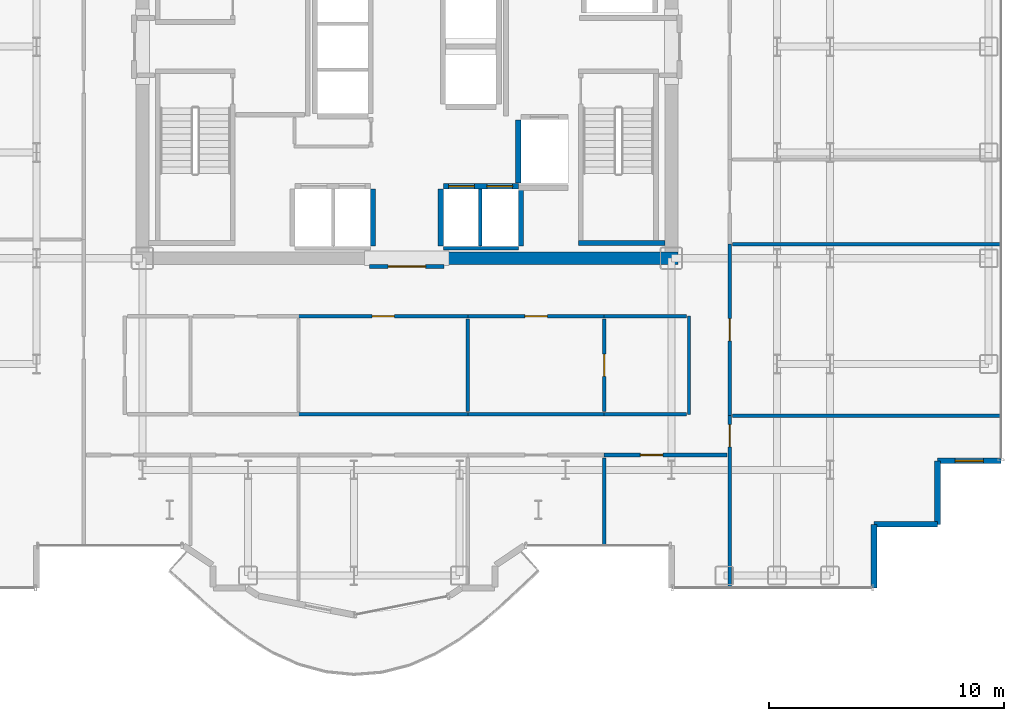
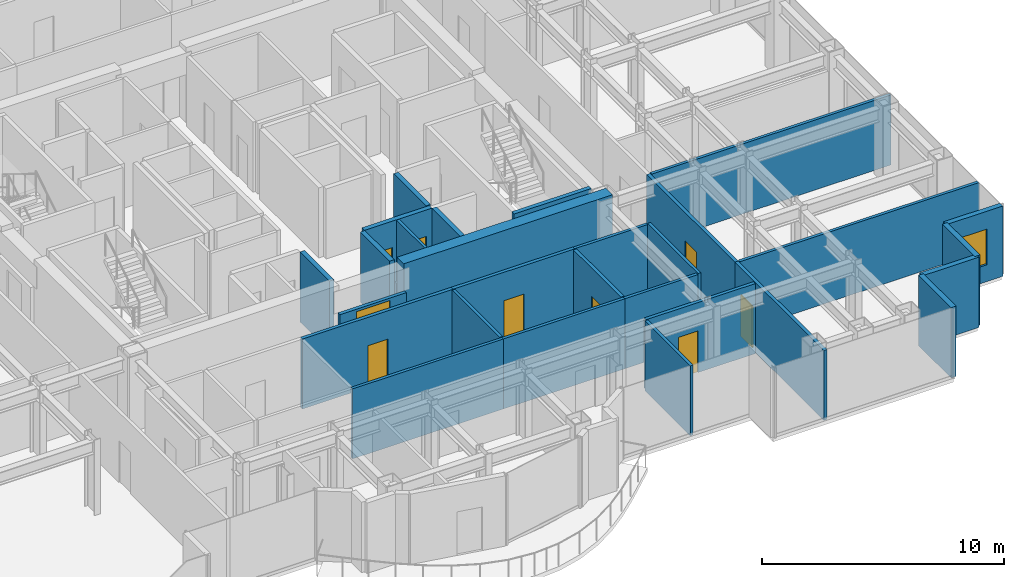
# One storey, part 17 of 23: 29 walls, 9 doors, 1 window, 10 openings.
"""IFC4 building model written with IfcOpenShell, lengths in metres."""

from ifc_helpers import new_model, si_unit, direction, frame, frame_2d, origin, place, context, subcontext, project, spatial, rectangle, extrude, source, transform, mapped, material, layer, layer_set, type_object, element, fill, save


model = new_model("IFC4")

# Units and contexts
model_context = context("Model", 3, precision=1e-05, world=origin(), true_north=direction((0.0, 1.0)))
body_context = subcontext(model_context, "Body", "Model", "MODEL_VIEW")
ifc_project = project(units=[si_unit("LENGTHUNIT", "METRE"), si_unit("AREAUNIT", "SQUARE_METRE"), si_unit("VOLUMEUNIT", "CUBIC_METRE"), si_unit("PLANEANGLEUNIT", "RADIAN"), si_unit("MASSUNIT", "GRAM", prefix="KILO")], contexts=[model_context])

# Site, building, storey
site_placement = place(None, origin())
site = spatial("IfcSite", under=ifc_project, at=site_placement, CompositionType="ELEMENT")
building_placement = place(site_placement, origin())
building = spatial("IfcBuilding", under=site, at=building_placement, Name="Nefas-Gora Pilgrimage Tower", CompositionType="ELEMENT")
storey_placement = place(building_placement, frame((0.0, 0.0, 156.39990234375)))
storey = spatial("IfcBuildingStorey", under=building, at=storey_placement, Name="L38", CompositionType="ELEMENT", Elevation=156.39990234375)

# Walls
ifc_material_1 = material(Name="Concrete C60/75", Category="concrete")
ifc_layer_1 = layer(ifc_material_1, 0.550048828125)
ifc_layer_set_1 = layer_set([ifc_layer_1], Name="Concrete C60/75")
wall_type_1 = type_object("IfcWallType", Name="SW-CORE-550", PredefinedType="SHEAR", material=ifc_layer_set_1)
shared_shape_1 = source(origin(), body_context, "Body", "SweptSolid", [
    extrude(rectangle(XDim=9.974853515625, YDim=0.550048828125, at=frame_2d((4.9873046875, 0.0))), origin(), (0.0, 0.0, 1.0), 3.800048828125),
])
wall_1_placement = place(storey_placement, frame((1.550048828125, -9.0, 0.0), z_axis=(0.0, 0.0, 1.0), x_axis=(1.0, 0.0, 0.0)))
element("IfcWall", 1, at=wall_1_placement, inside=storey, type_object=wall_type_1, Name="L38 Core Shear Wall S-East", PredefinedType="SHEAR", context=body_context, shape_type="MappedRepresentation", body=[
    mapped(shared_shape_1, transform((0.0, 0.0, 0.0), x_axis=(1.0, 0.0, 0.0), y_axis=(0.0, 1.0, 0.0), z_axis=(0.0, 0.0, 1.0), scale=1.0)),
])
ifc_material_2 = material(Name="Precast concrete C45/55", Category="concrete")
ifc_layer_2 = layer(ifc_material_2, 0.239990234375)
ifc_layer_set_2 = layer_set([ifc_layer_2], Name="Precast concrete C45/55")
wall_type_2 = type_object("IfcWallType", Name="EW-SERR-240", PredefinedType="SHEAR", material=ifc_layer_set_2)
shared_shape_2 = source(origin(), body_context, "Body", "SweptSolid", [
    extrude(rectangle(XDim=2.699951171875, YDim=0.239990234375, at=frame_2d((1.35009765625, 0.0))), origin(), (0.0, 0.0, 1.0), 3.550048828125),
])
for number, where, z_axis, x_axis, name in (
    (2, (19.8701171875, -23.02001953125, 0.0), (0.0, 0.0, 1.0), (0.0, 1.0, 0.0), "L38 Serrated Corner Shear Pier Wall 2"),
    (3, (19.8701171875, -20.320068359375, 0.0), (0.0, 0.0, 1.0), (1.0, 0.0, 0.0), "L38 Serrated Corner Shear Pier Wall 3"),
    (4, (22.570068359375, -20.320068359375, 0.0), (0.0, 0.0, 1.0), (0.0, 1.0, 0.0), "L38 Serrated Corner Shear Pier Wall 4"),
):
    element("IfcWall", number, at=place(storey_placement, frame(where, z_axis=z_axis, x_axis=x_axis)), inside=storey, type_object=wall_type_2, Name=name, PredefinedType="SHEAR", context=body_context, shape_type="MappedRepresentation", body=[
        mapped(shared_shape_2, transform((0.0, 0.0, 0.0), x_axis=(1.0, 0.0, 0.0), y_axis=(0.0, 1.0, 0.0), z_axis=(0.0, 0.0, 1.0), scale=1.0)),
    ])

# Wall, opening, window
wall_2_placement = place(storey_placement, frame((22.570068359375, -17.6201171875, 0.0), z_axis=(0.0, 0.0, 1.0), x_axis=(1.0, 0.0, 0.0)))
wall_2 = element("IfcWall", 5, at=wall_2_placement, inside=storey, type_object=wall_type_2, Name="L38 Serrated Corner Shear Pier Wall 5", PredefinedType="SHEAR", context=body_context, shape_type="MappedRepresentation", body=[
    mapped(shared_shape_2, transform((0.0, 0.0, 0.0), x_axis=(1.0, 0.0, 0.0), y_axis=(0.0, 1.0, 0.0), z_axis=(0.0, 0.0, 1.0), scale=1.0)),
])
opening_1_placement = place(wall_2_placement, frame((0.75, 0.0, 0.85009765625)))
opening_1 = element("IfcOpeningElement", 6, at=opening_1_placement, cuts=wall_2, Name="Opening W-V1", PredefinedType="OPENING", context=body_context, shape_type="SweptSolid", body=[
    extrude(rectangle(XDim=1.199951171875, YDim=1.800048828125, at=frame_2d((0.60009765625, 0.89990234375))), frame((0.0, 0.1298828125, 0.0), z_axis=(0.0, -1.0, 0.0), x_axis=(1.0, 0.0, 0.0)), (0.0, 0.0, 1.0), 0.260009765625),
])
ifc_material_3 = material(Name="Dark ceramic-fritted operable aluminium-glass window", Category="aluminium")
window_type = type_object("IfcWindowType", Name="WIN-VENT-1200x1800", PartitioningType="SINGLE_PANEL", PredefinedType="WINDOW", material=ifc_material_3)
shared_shape_3 = source(origin(), body_context, "Body", "SweptSolid", [
    extrude(rectangle(XDim=1.199951171875, YDim=1.800048828125, at=frame_2d((0.60009765625, 0.89990234375))), frame((0.0, 0.030029296875, 0.0), z_axis=(0.0, -1.0, 0.0), x_axis=(1.0, 0.0, 0.0)), (0.0, 0.0, 1.0), 0.06005859375),
])
window_placement = place(opening_1_placement, origin())
window = element("IfcWindow", 7, at=window_placement, inside=storey, type_object=window_type, Name="L38 Operable Parallel-Outswing Window 5", OverallHeight=1.800048828125, OverallWidth=1.199951171875, PartitioningType="SINGLE_PANEL", PredefinedType="WINDOW", context=body_context, shape_type="MappedRepresentation", body=[
    mapped(shared_shape_3, transform((0.0, 0.0, 0.0), x_axis=(1.0, 0.0, 0.0), y_axis=(0.0, 1.0, 0.0), z_axis=(0.0, 0.0, 1.0), scale=1.0)),
])
fill(opening_1, window)

# Walls
ifc_material_4 = material(Name="Concrete C45/55", Category="concrete")
ifc_layer_3 = layer(ifc_material_4, 0.199951171875)
ifc_layer_set_3 = layer_set([ifc_layer_3], Name="Concrete C45/55")
wall_type_3 = type_object("IfcWallType", Name="IW-STAIR-200", PredefinedType="SOLIDWALL", material=ifc_layer_set_3)
shared_shape_4 = source(origin(), body_context, "Body", "SweptSolid", [
    extrude(rectangle(XDim=3.679931640625, YDim=0.199951171875, at=frame_2d((1.83984375, 0.0))), origin(), (0.0, 0.0, 1.0), 3.800048828125),
])
wall_3_placement = place(storey_placement, frame((7.300048828125, -8.35009765625, 0.0), z_axis=(0.0, 0.0, 1.0), x_axis=(1.0, 0.0, 0.0)))
element("IfcWall", 8, at=wall_3_placement, inside=storey, type_object=wall_type_3, Name="L38 Stairwell Shear Wall ST-02-far", PredefinedType="SOLIDWALL", context=body_context, shape_type="MappedRepresentation", body=[
    mapped(shared_shape_4, transform((0.0, 0.0, 0.0), x_axis=(1.0, 0.0, 0.0), y_axis=(0.0, 1.0, 0.0), z_axis=(0.0, 0.0, 1.0), scale=1.0)),
])
ifc_material_5 = material(Name="Gypsum acoustic stud partition")
ifc_layer_4 = layer(ifc_material_5, 0.159912109375)
ifc_layer_set_4 = layer_set([ifc_layer_4], Name="Gypsum acoustic stud partition")
wall_type_4 = type_object("IfcWallType", Name="IW-CORR-160", PredefinedType="PARTITIONING", material=ifc_layer_set_4)
shared_shape_5 = source(origin(), body_context, "Body", "SweptSolid", [
    extrude(rectangle(XDim=3.199951171875, YDim=0.159912109375, at=frame_2d((1.60009765625, 0.0))), origin(), (0.0, 0.0, 1.0), 2.425048828125),
])
wall_4_placement = place(storey_placement, frame((1.550048828125, -8.580078125, 0.0), z_axis=(0.0, 0.0, 1.0), x_axis=(1.0, 0.0, 0.0)))
element("IfcWall", 9, at=wall_4_placement, inside=storey, type_object=wall_type_4, Name="L38 Hoistway Wall PL2-E-S", PredefinedType="PARTITIONING", context=body_context, shape_type="MappedRepresentation", body=[
    mapped(shared_shape_5, transform((0.0, 0.0, 0.0), x_axis=(1.0, 0.0, 0.0), y_axis=(0.0, 1.0, 0.0), z_axis=(0.0, 0.0, 1.0), scale=1.0)),
])
ifc_material_6 = material(Name="Concrete C40/50", Category="concrete")
ifc_layer_5 = layer(ifc_material_6, 0.219970703125)
ifc_layer_set_5 = layer_set([ifc_layer_5], Name="Concrete C40/50")
wall_type_5 = type_object("IfcWallType", Name="IW-SHAFT-220", PredefinedType="SOLIDWALL", material=ifc_layer_set_5)
shared_shape_6 = source(origin(), body_context, "Body", "SweptSolid", [
    extrude(rectangle(XDim=2.679931640625, YDim=0.219970703125, at=frame_2d((1.33984375, 0.0))), origin(), (0.0, 0.0, 1.0), 3.53515625),
])
wall_5_placement = place(storey_placement, frame((4.739990234375, -3.110107421875, 0.0), z_axis=(0.0, 0.0, 1.0), x_axis=(0.0, -1.0, 0.0)))
element("IfcWall", 10, at=wall_5_placement, inside=storey, type_object=wall_type_5, Name="L38 Hoistway Wall FFL-02-W", PredefinedType="SOLIDWALL", context=body_context, shape_type="MappedRepresentation", body=[
    mapped(shared_shape_6, transform((0.0, 0.0, 0.0), x_axis=(1.0, 0.0, 0.0), y_axis=(0.0, 1.0, 0.0), z_axis=(0.0, 0.0, 1.0), scale=1.0)),
])

# Wall, openings, doors
shared_shape_7 = source(origin(), body_context, "Body", "SweptSolid", [
    extrude(rectangle(XDim=3.199951171875, YDim=0.219970703125, at=frame_2d((1.60009765625, 0.0))), origin(), (0.0, 0.0, 1.0), 3.53515625),
])
wall_6_placement = place(storey_placement, frame((4.75, -5.93994140625, 0.0), z_axis=(0.0, 0.0, 1.0), x_axis=(-1.0, 0.0, 0.0)))
wall_6 = element("IfcWall", 11, at=wall_6_placement, inside=storey, type_object=wall_type_5, Name="L38 Hoistway Wall PL2-E-N", PredefinedType="SOLIDWALL", context=body_context, shape_type="MappedRepresentation", body=[
    mapped(shared_shape_7, transform((0.0, 0.0, 0.0), x_axis=(1.0, 0.0, 0.0), y_axis=(0.0, 1.0, 0.0), z_axis=(0.0, 0.0, 1.0), scale=1.0)),
])
opening_2_placement = place(wall_6_placement, frame((1.875, 0.0, 0.0)))
opening_2 = element("IfcOpeningElement", 12, at=opening_2_placement, cuts=wall_6, Name="Opening LD-01", PredefinedType="OPENING", context=body_context, shape_type="SweptSolid", body=[
    extrude(rectangle(XDim=1.10009765625, YDim=2.199951171875, at=frame_2d((0.550048828125, 1.10009765625))), frame((0.0, 0.119873046875, 0.0), z_axis=(0.0, -1.0, 0.0), x_axis=(1.0, 0.0, 0.0)), (0.0, 0.0, 1.0), 0.239990234375),
])
opening_3_placement = place(wall_6_placement, frame((0.25, 0.0, 0.0)))
opening_3 = element("IfcOpeningElement", 13, at=opening_3_placement, cuts=wall_6, Name="Opening LD-01", PredefinedType="OPENING", context=body_context, shape_type="SweptSolid", body=[
    extrude(rectangle(XDim=1.10009765625, YDim=2.199951171875, at=frame_2d((0.550048828125, 1.10009765625))), frame((0.0, 0.119873046875, 0.0), z_axis=(0.0, -1.0, 0.0), x_axis=(1.0, 0.0, 0.0)), (0.0, 0.0, 1.0), 0.239990234375),
])
ifc_material_7 = material(Name="Brushed stainless sliding lift landing door")
door_type_1 = type_object("IfcDoorType", Name="DR-LIFT-PASS-1100", OperationType="DOUBLE_DOOR_SLIDING", PredefinedType="DOOR", material=ifc_material_7)
shared_shape_8 = source(origin(), body_context, "Body", "SweptSolid", [
    extrude(rectangle(XDim=1.10009765625, YDim=2.199951171875, at=frame_2d((0.550048828125, 1.10009765625))), frame((0.0, 0.02490234375, 0.0), z_axis=(0.0, -1.0, 0.0), x_axis=(1.0, 0.0, 0.0)), (0.0, 0.0, 1.0), 0.050048828125),
])
door_1_placement = place(opening_2_placement, origin())
door_1 = element("IfcDoor", 14, at=door_1_placement, inside=storey, type_object=door_type_1, Name="L38 Sliding Lift Landing Door PL2-03", OperationType="DOUBLE_DOOR_SLIDING", OverallHeight=2.199951171875, OverallWidth=1.10009765625, PredefinedType="DOOR", context=body_context, shape_type="MappedRepresentation", body=[
    mapped(shared_shape_8, transform((0.0, 0.0, 0.0), x_axis=(1.0, 0.0, 0.0), y_axis=(0.0, 1.0, 0.0), z_axis=(0.0, 0.0, 1.0), scale=1.0)),
])
fill(opening_2, door_1)
door_2_placement = place(opening_3_placement, origin())
door_2 = element("IfcDoor", 15, at=door_2_placement, inside=storey, type_object=door_type_1, Name="L38 Sliding Lift Landing Door PL2-04", OperationType="DOUBLE_DOOR_SLIDING", OverallHeight=2.199951171875, OverallWidth=1.10009765625, PredefinedType="DOOR", context=body_context, shape_type="MappedRepresentation", body=[
    mapped(shared_shape_8, transform((0.0, 0.0, 0.0), x_axis=(1.0, 0.0, 0.0), y_axis=(0.0, 1.0, 0.0), z_axis=(0.0, 0.0, 1.0), scale=1.0)),
])
fill(opening_3, door_2)

# Walls
shared_shape_9 = source(origin(), body_context, "Body", "SweptSolid", [
    extrude(rectangle(XDim=2.429931640625, YDim=0.219970703125, at=frame_2d((1.21484375, 0.0))), origin(), (0.0, 0.0, 1.0), 3.53515625),
])
for number, where, z_axis, x_axis, name in (
    (16, (-1.43994140625, -8.489990234375, 0.0), (0.0, 0.0, 1.0), (0.0, 1.0, 0.0), "L38 Hoistway Wall PL2-W-E"),
    (17, (1.43994140625, -6.06005859375, 0.0), (0.0, 0.0, 1.0), (0.0, -1.0, 0.0), "L38 Hoistway Wall PL2-E-W"),
    (18, (4.860107421875, -8.489990234375, 0.0), (0.0, 0.0, 1.0), (0.0, 1.0, 0.0), "L38 Hoistway Wall PL2-E-E"),
):
    element("IfcWall", number, at=place(storey_placement, frame(where, z_axis=z_axis, x_axis=x_axis)), inside=storey, type_object=wall_type_5, Name=name, PredefinedType="SOLIDWALL", context=body_context, shape_type="MappedRepresentation", body=[
        mapped(shared_shape_9, transform((0.0, 0.0, 0.0), x_axis=(1.0, 0.0, 0.0), y_axis=(0.0, 1.0, 0.0), z_axis=(0.0, 0.0, 1.0), scale=1.0)),
    ])
ifc_material_8 = material(Name="Gypsum twin-stud partition")
ifc_layer_6 = layer(ifc_material_8, 0.139892578125)
ifc_layer_set_6 = layer_set([ifc_layer_6], Name="Gypsum twin-stud partition")
wall_type_6 = type_object("IfcWallType", Name="IW-UNIT-140", PredefinedType="PARTITIONING", material=ifc_layer_set_6)
shared_shape_10 = source(origin(), body_context, "Body", "SweptSolid", [
    extrude(rectangle(XDim=2.429931640625, YDim=0.139892578125, at=frame_2d((1.21484375, 0.0))), origin(), (0.0, 0.0, 1.0), 3.53515625),
])
wall_7_placement = place(storey_placement, frame((3.125, -8.489990234375, 0.0), z_axis=(0.0, 0.0, 1.0), x_axis=(0.0, 1.0, 0.0)))
element("IfcWall", 19, at=wall_7_placement, inside=storey, type_object=wall_type_6, Name="L38 Hoistway Wall PL2-E-DIV", PredefinedType="PARTITIONING", context=body_context, shape_type="MappedRepresentation", body=[
    mapped(shared_shape_10, transform((0.0, 0.0, 0.0), x_axis=(1.0, 0.0, 0.0), y_axis=(0.0, 1.0, 0.0), z_axis=(0.0, 0.0, 1.0), scale=1.0)),
])

# Wall, opening, door
shared_shape_11 = source(origin(), body_context, "Body", "SweptSolid", [
    extrude(rectangle(XDim=5.22509765625, YDim=0.159912109375, at=frame_2d((2.612548828125, 0.0))), origin(), (0.0, 0.0, 1.0), 3.53515625),
])
wall_8_placement = place(storey_placement, frame((8.39501953125, -17.3701171875, 0.0), z_axis=(0.0, 0.0, 1.0), x_axis=(1.0, 0.0, 0.0)))
wall_8 = element("IfcWall", 20, at=wall_8_placement, inside=storey, type_object=wall_type_4, Name="L38 Pilgrim Contemplative Lounge Partition Wall 92", PredefinedType="PARTITIONING", context=body_context, shape_type="MappedRepresentation", body=[
    mapped(shared_shape_11, transform((0.0, 0.0, 0.0), x_axis=(1.0, 0.0, 0.0), y_axis=(0.0, 1.0, 0.0), z_axis=(0.0, 0.0, 1.0), scale=1.0)),
])
opening_4_placement = place(wall_8_placement, frame((1.543212890625, 0.0, 0.0)))
opening_4 = element("IfcOpeningElement", 21, at=opening_4_placement, cuts=wall_8, Name="Opening ID-GR1", PredefinedType="OPENING", context=body_context, shape_type="SweptSolid", body=[
    extrude(rectangle(XDim=0.949951171875, YDim=2.10009765625, at=frame_2d((0.47509765625, 1.050048828125))), frame((0.0, 0.08984375, 0.0), z_axis=(0.0, -1.0, 0.0), x_axis=(1.0, 0.0, 0.0)), (0.0, 0.0, 1.0), 0.179931640625),
])
ifc_material_9 = material(Name="Solid core oak fire-rated guest entrance door")
door_type_2 = type_object("IfcDoorType", Name="DR-INT-GUEST-950", OperationType="NOTDEFINED", PredefinedType="DOOR", material=ifc_material_9)
shared_shape_12 = source(origin(), body_context, "Body", "SweptSolid", [
    extrude(rectangle(XDim=0.949951171875, YDim=2.10009765625, at=frame_2d((0.47509765625, 1.050048828125))), frame((0.0, 0.02490234375, 0.0), z_axis=(0.0, -1.0, 0.0), x_axis=(1.0, 0.0, 0.0)), (0.0, 0.0, 1.0), 0.050048828125),
])
door_3_placement = place(opening_4_placement, origin())
door_3 = element("IfcDoor", 22, at=door_3_placement, inside=storey, type_object=door_type_2, Name="L38 Pilgrim Contemplative Lounge Door 41", OperationType="SINGLE_SWING_LEFT", OverallHeight=2.10009765625, OverallWidth=0.949951171875, PredefinedType="DOOR", context=body_context, shape_type="MappedRepresentation", body=[
    mapped(shared_shape_12, transform((0.0, 0.0, 0.0), x_axis=(1.0, 0.0, 0.0), y_axis=(0.0, 1.0, 0.0), z_axis=(0.0, 0.0, 1.0), scale=1.0)),
])
fill(opening_4, door_3)

shared_shape_13 = source(origin(), body_context, "Body", "SweptSolid", [
    extrude(rectangle(XDim=3.16015625, YDim=0.159912109375, at=frame_2d((1.580078125, 0.0))), origin(), (0.0, 0.0, 1.0), 2.425048828125),
])
wall_9_placement = place(storey_placement, frame((-1.580078125, -9.35009765625, 0.0), z_axis=(0.0, 0.0, 1.0), x_axis=(1.0, 0.0, 0.0)))
wall_9 = element("IfcWall", 23, at=wall_9_placement, inside=storey, type_object=wall_type_4, Name="L38 Central Lift Lobby South Portal Wall 16", PredefinedType="PARTITIONING", context=body_context, shape_type="MappedRepresentation", body=[
    mapped(shared_shape_13, transform((0.0, 0.0, 0.0), x_axis=(1.0, 0.0, 0.0), y_axis=(0.0, 1.0, 0.0), z_axis=(0.0, 0.0, 1.0), scale=1.0)),
])
opening_5_placement = place(wall_9_placement, frame((0.780029296875, 0.0, 0.0)))
opening_5 = element("IfcOpeningElement", 24, at=opening_5_placement, cuts=wall_9, Name="Opening ID-HL1", PredefinedType="OPENING", context=body_context, shape_type="SweptSolid", body=[
    extrude(rectangle(XDim=1.60009765625, YDim=2.300048828125, at=frame_2d((0.800048828125, 1.14990234375))), frame((0.0, 0.08984375, 0.0), z_axis=(0.0, -1.0, 0.0), x_axis=(1.0, 0.0, 0.0)), (0.0, 0.0, 1.0), 0.179931640625),
])
ifc_material_10 = material(Name="Double acoustic timber assembly hall door", Category="wood")
door_type_3 = type_object("IfcDoorType", Name="DR-INT-HALL-1600", OperationType="DOUBLE_DOOR_SINGLE_SWING", PredefinedType="DOOR", material=ifc_material_10)
shared_shape_14 = source(origin(), body_context, "Body", "SweptSolid", [
    extrude(rectangle(XDim=1.60009765625, YDim=2.300048828125, at=frame_2d((0.800048828125, 1.14990234375))), frame((0.0, 0.02490234375, 0.0), z_axis=(0.0, -1.0, 0.0), x_axis=(1.0, 0.0, 0.0)), (0.0, 0.0, 1.0), 0.050048828125),
])
door_4_placement = place(opening_5_placement, origin())
door_4 = element("IfcDoor", 25, at=door_4_placement, inside=storey, type_object=door_type_3, Name="L38 Central Lift Lobby South Portal Door 6", OperationType="DOUBLE_DOOR_SINGLE_SWING", OverallHeight=2.300048828125, OverallWidth=1.60009765625, PredefinedType="DOOR", context=body_context, shape_type="MappedRepresentation", body=[
    mapped(shared_shape_14, transform((0.0, 0.0, 0.0), x_axis=(1.0, 0.0, 0.0), y_axis=(0.0, 1.0, 0.0), z_axis=(0.0, 0.0, 1.0), scale=1.0)),
])
fill(opening_5, door_4)

shared_shape_15 = source(origin(), body_context, "Body", "SweptSolid", [
    extrude(rectangle(XDim=7.3525390625, YDim=0.159912109375, at=frame_2d((3.67626953125, 0.0))), origin(), (0.0, 0.0, 1.0), 3.53515625),
])
wall_10_placement = place(storey_placement, frame((13.739990234375, -23.0400390625, 0.0), z_axis=(0.0, 0.0, 1.0), x_axis=(0.0, 1.0, 0.0)))
wall_10 = element("IfcWall", 26, at=wall_10_placement, inside=storey, type_object=wall_type_4, Name="L38 Pilgrim Contemplative Lounge Partition Wall 37", PredefinedType="PARTITIONING", context=body_context, shape_type="MappedRepresentation", body=[
    mapped(shared_shape_15, transform((0.0, 0.0, 0.0), x_axis=(1.0, 0.0, 0.0), y_axis=(0.0, 1.0, 0.0), z_axis=(0.0, 0.0, 1.0), scale=1.0)),
])
opening_6_placement = place(wall_10_placement, frame((6.01611328125, 0.0, 0.0)))
opening_6 = element("IfcOpeningElement", 27, at=opening_6_placement, cuts=wall_10, Name="Opening ID-GR1", PredefinedType="OPENING", context=body_context, shape_type="SweptSolid", body=[
    extrude(rectangle(XDim=0.949951171875, YDim=2.10009765625, at=frame_2d((0.47509765625, 1.050048828125))), frame((0.0, 0.08984375, 0.0), z_axis=(0.0, -1.0, 0.0), x_axis=(1.0, 0.0, 0.0)), (0.0, 0.0, 1.0), 0.179931640625),
])
door_5_placement = place(opening_6_placement, origin())
door_5 = element("IfcDoor", 28, at=door_5_placement, inside=storey, type_object=door_type_2, Name="L38 Pilgrim Contemplative Lounge Door 16", OperationType="SINGLE_SWING_RIGHT", OverallHeight=2.10009765625, OverallWidth=0.949951171875, PredefinedType="DOOR", context=body_context, shape_type="MappedRepresentation", body=[
    mapped(shared_shape_12, transform((0.0, 0.0, 0.0), x_axis=(1.0, 0.0, 0.0), y_axis=(0.0, 1.0, 0.0), z_axis=(0.0, 0.0, 1.0), scale=1.0)),
])
fill(opening_6, door_5)

# Walls
shared_shape_16 = source(origin(), body_context, "Body", "SweptSolid", [
    extrude(rectangle(XDim=11.429931640625, YDim=0.139892578125, at=frame_2d((5.71484375, 0.0))), origin(), (0.0, 0.0, 1.0), 3.53515625),
])
for number, where, z_axis, x_axis, name in (
    (29, (13.860107421875, -15.697509765625, 0.0), (0.0, 0.0, 1.0), (1.0, 0.0, 0.0), "L38 Pilgrim Contemplative Lounge Partition Wall 38"),
    (30, (13.860107421875, -8.405029296875, 0.0), (0.0, 0.0, 1.0), (1.0, 0.0, 0.0), "L38 Pilgrim Contemplative Lounge Partition Wall 40"),
):
    element("IfcWall", number, at=place(storey_placement, frame(where, z_axis=z_axis, x_axis=x_axis)), inside=storey, type_object=wall_type_6, Name=name, PredefinedType="PARTITIONING", context=body_context, shape_type="MappedRepresentation", body=[
        mapped(shared_shape_16, transform((0.0, 0.0, 0.0), x_axis=(1.0, 0.0, 0.0), y_axis=(0.0, 1.0, 0.0), z_axis=(0.0, 0.0, 1.0), scale=1.0)),
    ])

# Wall, opening, door
shared_shape_17 = source(origin(), body_context, "Body", "SweptSolid", [
    extrude(rectangle(XDim=7.29248046875, YDim=0.159912109375, at=frame_2d((3.646240234375, 0.0))), origin(), (0.0, 0.0, 1.0), 3.53515625),
])
wall_11_placement = place(storey_placement, frame((13.739990234375, -15.6875, 0.0), z_axis=(0.0, 0.0, 1.0), x_axis=(0.0, 1.0, 0.0)))
wall_11 = element("IfcWall", 31, at=wall_11_placement, inside=storey, type_object=wall_type_4, Name="L38 Pilgrim Contemplative Lounge Partition Wall 39", PredefinedType="PARTITIONING", context=body_context, shape_type="MappedRepresentation", body=[
    mapped(shared_shape_17, transform((0.0, 0.0, 0.0), x_axis=(1.0, 0.0, 0.0), y_axis=(0.0, 1.0, 0.0), z_axis=(0.0, 0.0, 1.0), scale=1.0)),
])
opening_7_placement = place(wall_11_placement, frame((3.17138671875, 0.0, 0.0)))
opening_7 = element("IfcOpeningElement", 32, at=opening_7_placement, cuts=wall_11, Name="Opening ID-GR1", PredefinedType="OPENING", context=body_context, shape_type="SweptSolid", body=[
    extrude(rectangle(XDim=0.949951171875, YDim=2.10009765625, at=frame_2d((0.47509765625, 1.050048828125))), frame((0.0, 0.08984375, 0.0), z_axis=(0.0, -1.0, 0.0), x_axis=(1.0, 0.0, 0.0)), (0.0, 0.0, 1.0), 0.179931640625),
])
door_6_placement = place(opening_7_placement, origin())
door_6 = element("IfcDoor", 33, at=door_6_placement, inside=storey, type_object=door_type_2, Name="L38 Pilgrim Contemplative Lounge Door 17", OperationType="SINGLE_SWING_LEFT", OverallHeight=2.10009765625, OverallWidth=0.949951171875, PredefinedType="DOOR", context=body_context, shape_type="MappedRepresentation", body=[
    mapped(shared_shape_12, transform((0.0, 0.0, 0.0), x_axis=(1.0, 0.0, 0.0), y_axis=(0.0, 1.0, 0.0), z_axis=(0.0, 0.0, 1.0), scale=1.0)),
])
fill(opening_7, door_6)

# Wall
shared_shape_18 = source(origin(), body_context, "Body", "SweptSolid", [
    extrude(rectangle(XDim=3.929931640625, YDim=0.139892578125, at=frame_2d((1.96484375, 0.0))), origin(), (0.0, 0.0, 1.0), 3.53515625),
])
wall_12_placement = place(storey_placement, frame((2.594970703125, -15.52001953125, 0.0), z_axis=(0.0, 0.0, 1.0), x_axis=(0.0, 1.0, 0.0)))
element("IfcWall", 34, at=wall_12_placement, inside=storey, type_object=wall_type_6, Name="L38 Pilgrim Contemplative Lounge Partition Wall 86", PredefinedType="PARTITIONING", context=body_context, shape_type="MappedRepresentation", body=[
    mapped(shared_shape_18, transform((0.0, 0.0, 0.0), x_axis=(1.0, 0.0, 0.0), y_axis=(0.0, 1.0, 0.0), z_axis=(0.0, 0.0, 1.0), scale=1.0)),
])

# Wall, opening, door
shared_shape_19 = source(origin(), body_context, "Body", "SweptSolid", [
    extrude(rectangle(XDim=5.81005859375, YDim=0.159912109375, at=frame_2d((2.905029296875, 0.0))), origin(), (0.0, 0.0, 1.0), 3.53515625),
])
wall_13_placement = place(storey_placement, frame((2.594970703125, -11.469970703125, 0.0), z_axis=(0.0, 0.0, 1.0), x_axis=(1.0, 0.0, 0.0)))
wall_13 = element("IfcWall", 35, at=wall_13_placement, inside=storey, type_object=wall_type_4, Name="L38 Pilgrim Contemplative Lounge Partition Wall 89", PredefinedType="PARTITIONING", context=body_context, shape_type="MappedRepresentation", body=[
    mapped(shared_shape_19, transform((0.0, 0.0, 0.0), x_axis=(1.0, 0.0, 0.0), y_axis=(0.0, 1.0, 0.0), z_axis=(0.0, 0.0, 1.0), scale=1.0)),
])
opening_8_placement = place(wall_13_placement, frame((2.429931640625, 0.0, 0.0)))
opening_8 = element("IfcOpeningElement", 36, at=opening_8_placement, cuts=wall_13, Name="Opening ID-GR1", PredefinedType="OPENING", context=body_context, shape_type="SweptSolid", body=[
    extrude(rectangle(XDim=0.949951171875, YDim=2.10009765625, at=frame_2d((0.47509765625, 1.050048828125))), frame((0.0, 0.08984375, 0.0), z_axis=(0.0, -1.0, 0.0), x_axis=(1.0, 0.0, 0.0)), (0.0, 0.0, 1.0), 0.179931640625),
])
door_7_placement = place(opening_8_placement, origin())
door_7 = element("IfcDoor", 37, at=door_7_placement, inside=storey, type_object=door_type_2, Name="L38 Pilgrim Contemplative Lounge Door 39", OperationType="SINGLE_SWING_LEFT", OverallHeight=2.10009765625, OverallWidth=0.949951171875, PredefinedType="DOOR", context=body_context, shape_type="MappedRepresentation", body=[
    mapped(shared_shape_12, transform((0.0, 0.0, 0.0), x_axis=(1.0, 0.0, 0.0), y_axis=(0.0, 1.0, 0.0), z_axis=(0.0, 0.0, 1.0), scale=1.0)),
])
fill(opening_8, door_7)

# Walls
shared_shape_20 = source(origin(), body_context, "Body", "SweptSolid", [
    extrude(rectangle(XDim=3.75, YDim=0.139892578125, at=frame_2d((1.875, 0.0))), origin(), (0.0, 0.0, 1.0), 3.53515625),
])
wall_14_placement = place(storey_placement, frame((8.39501953125, -21.239990234375, 0.0), z_axis=(0.0, 0.0, 1.0), x_axis=(0.0, 1.0, 0.0)))
element("IfcWall", 38, at=wall_14_placement, inside=storey, type_object=wall_type_6, Name="L38 Pilgrim Contemplative Lounge Partition Wall 88", PredefinedType="PARTITIONING", context=body_context, shape_type="MappedRepresentation", body=[
    mapped(shared_shape_20, transform((0.0, 0.0, 0.0), x_axis=(1.0, 0.0, 0.0), y_axis=(0.0, 1.0, 0.0), z_axis=(0.0, 0.0, 1.0), scale=1.0)),
])
shared_shape_21 = source(origin(), body_context, "Body", "SweptSolid", [
    extrude(rectangle(XDim=5.81005859375, YDim=0.139892578125, at=frame_2d((2.905029296875, 0.0))), origin(), (0.0, 0.0, 1.0), 3.53515625),
])
wall_15_placement = place(storey_placement, frame((2.594970703125, -15.6298828125, 0.0), z_axis=(0.0, 0.0, 1.0), x_axis=(1.0, 0.0, 0.0)))
element("IfcWall", 39, at=wall_15_placement, inside=storey, type_object=wall_type_6, Name="L38 Pilgrim Contemplative Lounge Partition Wall 90", PredefinedType="PARTITIONING", context=body_context, shape_type="MappedRepresentation", body=[
    mapped(shared_shape_21, transform((0.0, 0.0, 0.0), x_axis=(1.0, 0.0, 0.0), y_axis=(0.0, 1.0, 0.0), z_axis=(0.0, 0.0, 1.0), scale=1.0)),
])

# Wall, opening, door
shared_shape_22 = source(origin(), body_context, "Body", "SweptSolid", [
    extrude(rectangle(XDim=3.929931640625, YDim=0.159912109375, at=frame_2d((1.96484375, 0.0))), origin(), (0.0, 0.0, 1.0), 3.53515625),
])
wall_16_placement = place(storey_placement, frame((8.39501953125, -15.52001953125, 0.0), z_axis=(0.0, 0.0, 1.0), x_axis=(0.0, 1.0, 0.0)))
wall_16 = element("IfcWall", 40, at=wall_16_placement, inside=storey, type_object=wall_type_4, Name="L38 Pilgrim Contemplative Lounge Partition Wall 91", PredefinedType="PARTITIONING", context=body_context, shape_type="MappedRepresentation", body=[
    mapped(shared_shape_22, transform((0.0, 0.0, 0.0), x_axis=(1.0, 0.0, 0.0), y_axis=(0.0, 1.0, 0.0), z_axis=(0.0, 0.0, 1.0), scale=1.0)),
])
opening_9_placement = place(wall_16_placement, frame((1.489990234375, 0.0, 0.0)))
opening_9 = element("IfcOpeningElement", 41, at=opening_9_placement, cuts=wall_16, Name="Opening ID-GR1", PredefinedType="OPENING", context=body_context, shape_type="SweptSolid", body=[
    extrude(rectangle(XDim=0.949951171875, YDim=2.10009765625, at=frame_2d((0.47509765625, 1.050048828125))), frame((0.0, 0.08984375, 0.0), z_axis=(0.0, -1.0, 0.0), x_axis=(1.0, 0.0, 0.0)), (0.0, 0.0, 1.0), 0.179931640625),
])
door_8_placement = place(opening_9_placement, origin())
door_8 = element("IfcDoor", 42, at=door_8_placement, inside=storey, type_object=door_type_2, Name="L38 Pilgrim Contemplative Lounge Door 40", OperationType="SINGLE_SWING_RIGHT", OverallHeight=2.10009765625, OverallWidth=0.949951171875, PredefinedType="DOOR", context=body_context, shape_type="MappedRepresentation", body=[
    mapped(shared_shape_12, transform((0.0, 0.0, 0.0), x_axis=(1.0, 0.0, 0.0), y_axis=(0.0, 1.0, 0.0), z_axis=(0.0, 0.0, 1.0), scale=1.0)),
])
fill(opening_9, door_8)

# Wall
shared_shape_23 = source(origin(), body_context, "Body", "SweptSolid", [
    extrude(rectangle(XDim=4.179931640625, YDim=0.139892578125, at=frame_2d((2.08984375, 0.0))), origin(), (0.0, 0.0, 1.0), 3.53515625),
])
wall_17_placement = place(storey_placement, frame((12.0, -15.639892578125, 0.0), z_axis=(0.0, 0.0, 1.0), x_axis=(0.0, 1.0, 0.0)))
element("IfcWall", 43, at=wall_17_placement, inside=storey, type_object=wall_type_6, Name="L38 Pilgrim Contemplative Lounge Partition Wall 93", PredefinedType="PARTITIONING", context=body_context, shape_type="MappedRepresentation", body=[
    mapped(shared_shape_23, transform((0.0, 0.0, 0.0), x_axis=(1.0, 0.0, 0.0), y_axis=(0.0, 1.0, 0.0), z_axis=(0.0, 0.0, 1.0), scale=1.0)),
])

# Wall, opening, door
shared_shape_24 = source(origin(), body_context, "Body", "SweptSolid", [
    extrude(rectangle(XDim=7.2099609375, YDim=0.159912109375, at=frame_2d((3.60498046875, 0.0))), origin(), (0.0, 0.0, 1.0), 3.53515625),
])
wall_18_placement = place(storey_placement, frame((-4.60498046875, -11.469970703125, 0.0), z_axis=(0.0, 0.0, 1.0), x_axis=(1.0, 0.0, 0.0)))
wall_18 = element("IfcWall", 44, at=wall_18_placement, inside=storey, type_object=wall_type_4, Name="L38 Pilgrim Contemplative Lounge Partition Wall 84", PredefinedType="PARTITIONING", context=body_context, shape_type="MappedRepresentation", body=[
    mapped(shared_shape_24, transform((0.0, 0.0, 0.0), x_axis=(1.0, 0.0, 0.0), y_axis=(0.0, 1.0, 0.0), z_axis=(0.0, 0.0, 1.0), scale=1.0)),
])
opening_10_placement = place(wall_18_placement, frame((3.1298828125, 0.0, 0.0)))
opening_10 = element("IfcOpeningElement", 45, at=opening_10_placement, cuts=wall_18, Name="Opening ID-GR1", PredefinedType="OPENING", context=body_context, shape_type="SweptSolid", body=[
    extrude(rectangle(XDim=0.949951171875, YDim=2.10009765625, at=frame_2d((0.47509765625, 1.050048828125))), frame((0.0, 0.08984375, 0.0), z_axis=(0.0, -1.0, 0.0), x_axis=(1.0, 0.0, 0.0)), (0.0, 0.0, 1.0), 0.179931640625),
])
door_9_placement = place(opening_10_placement, origin())
door_9 = element("IfcDoor", 46, at=door_9_placement, inside=storey, type_object=door_type_2, Name="L38 Pilgrim Contemplative Lounge Door 37", OperationType="SINGLE_SWING_LEFT", OverallHeight=2.10009765625, OverallWidth=0.949951171875, PredefinedType="DOOR", context=body_context, shape_type="MappedRepresentation", body=[
    mapped(shared_shape_12, transform((0.0, 0.0, 0.0), x_axis=(1.0, 0.0, 0.0), y_axis=(0.0, 1.0, 0.0), z_axis=(0.0, 0.0, 1.0), scale=1.0)),
])
fill(opening_10, door_9)

# Walls
shared_shape_25 = source(origin(), body_context, "Body", "SweptSolid", [
    extrude(rectangle(XDim=7.2099609375, YDim=0.139892578125, at=frame_2d((3.60498046875, 0.0))), origin(), (0.0, 0.0, 1.0), 3.53515625),
])
wall_19_placement = place(storey_placement, frame((-4.60498046875, -15.6298828125, 0.0), z_axis=(0.0, 0.0, 1.0), x_axis=(1.0, 0.0, 0.0)))
element("IfcWall", 47, at=wall_19_placement, inside=storey, type_object=wall_type_6, Name="L38 Pilgrim Contemplative Lounge Partition Wall 85", PredefinedType="PARTITIONING", context=body_context, shape_type="MappedRepresentation", body=[
    mapped(shared_shape_25, transform((0.0, 0.0, 0.0), x_axis=(1.0, 0.0, 0.0), y_axis=(0.0, 1.0, 0.0), z_axis=(0.0, 0.0, 1.0), scale=1.0)),
])
shared_shape_26 = source(origin(), body_context, "Body", "SweptSolid", [
    extrude(rectangle(XDim=3.494873046875, YDim=0.139892578125, at=frame_2d((1.74755859375, 0.0))), origin(), (0.0, 0.0, 1.0), 3.53515625),
])
for number, where, z_axis, x_axis, name in (
    (48, (8.39501953125, -11.469970703125, 0.0), (0.0, 0.0, 1.0), (1.0, 0.0, 0.0), "L38 Pilgrim Contemplative Lounge Partition Wall 94"),
    (49, (8.39501953125, -15.6298828125, 0.0), (0.0, 0.0, 1.0), (1.0, 0.0, 0.0), "L38 Pilgrim Contemplative Lounge Partition Wall 95"),
):
    element("IfcWall", number, at=place(storey_placement, frame(where, z_axis=z_axis, x_axis=x_axis)), inside=storey, type_object=wall_type_6, Name=name, PredefinedType="PARTITIONING", context=body_context, shape_type="MappedRepresentation", body=[
        mapped(shared_shape_26, transform((0.0, 0.0, 0.0), x_axis=(1.0, 0.0, 0.0), y_axis=(0.0, 1.0, 0.0), z_axis=(0.0, 0.0, 1.0), scale=1.0)),
    ])

save(model, "model.ifc")
